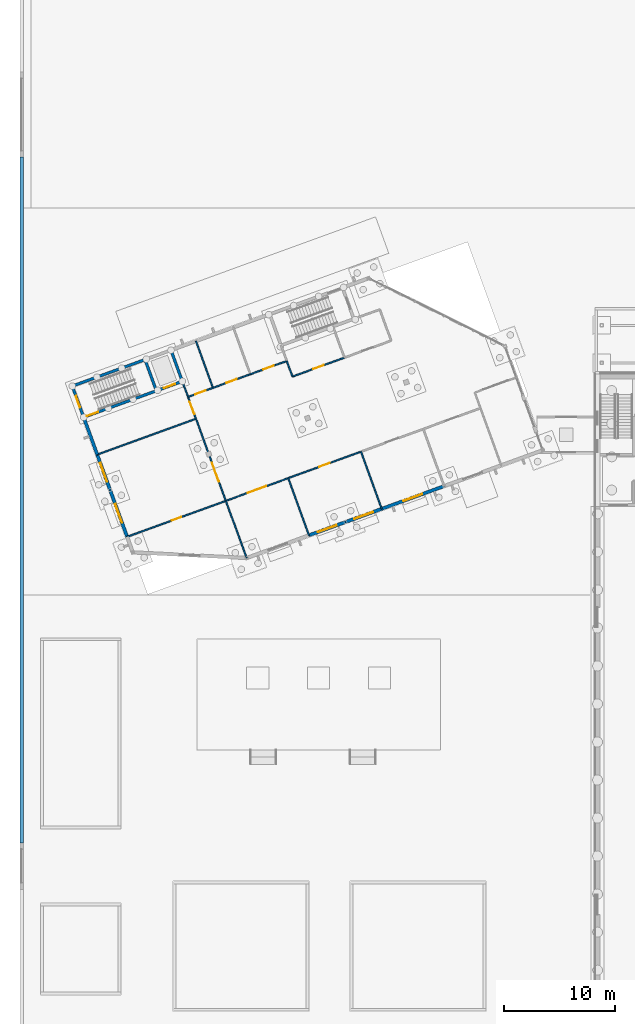
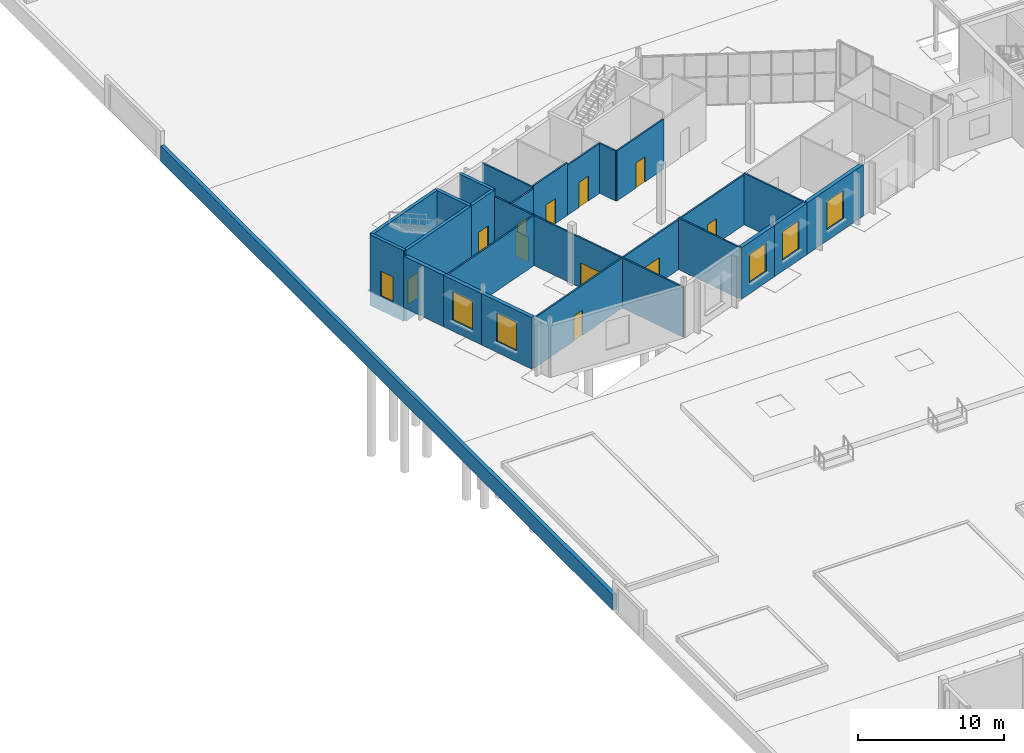
# One storey, part 92 of 157: 28 walls, 12 doors, 5 windows, 17 openings.
"""IFC4 building model written with IfcOpenShell, lengths in metres."""

from ifc_helpers import new_model, si_unit, direction, frame, frame_2d, origin, place, context, subcontext, project, spatial, rectangle, extrude, material, layer, layer_set, type_object, element, fill, save


model = new_model("IFC4")

# Units and contexts
model_context = context("Model", 3, precision=1e-05, world=origin(), true_north=direction((0.0, 1.0)))
body_context = subcontext(model_context, "Body", "Model", "MODEL_VIEW")
ifc_project = project(units=[si_unit("LENGTHUNIT", "METRE"), si_unit("AREAUNIT", "SQUARE_METRE"), si_unit("VOLUMEUNIT", "CUBIC_METRE"), si_unit("PLANEANGLEUNIT", "RADIAN"), si_unit("MASSUNIT", "GRAM", prefix="KILO")], contexts=[model_context])

# Site, building, storey
site_placement = place(None, origin())
site = spatial("IfcSite", under=ifc_project, at=site_placement, CompositionType="ELEMENT")
building_placement = place(site_placement, origin())
building = spatial("IfcBuilding", under=site, at=building_placement, Name="Windward Yard Aquatics Centre", CompositionType="ELEMENT")
storey_placement = place(building_placement, origin())
storey = spatial("IfcBuildingStorey", under=building, at=storey_placement, Name="L00", CompositionType="ELEMENT", Elevation=0.0)

# Wall, opening, door
ifc_material_1 = material(Name="Concrete C40/50", Category="concrete")
ifc_layer_1 = layer(ifc_material_1, 0.25)
ifc_layer_set_1 = layer_set([ifc_layer_1], Name="F core wall 250 Concrete C40/50")
wall_type_1 = type_object("IfcWallType", Name="F core wall 250 Concrete C40/50", PredefinedType="SOLIDWALL", material=ifc_layer_set_1)
wall_1_placement = place(storey_placement, frame((5.751708984375, 92.07958984375, -1.199951171875), z_axis=(0.0, 0.0, 1.0), x_axis=(0.939697665127, 0.342006283793, 0.0)))
wall_1 = element("IfcWall", 1, at=wall_1_placement, inside=storey, type_object=wall_type_1, Name="F.WL.L00.C01", PredefinedType="SOLIDWALL", context=body_context, shape_type="SweptSolid", body=[
    extrude(rectangle(XDim=7.0, YDim=0.25, at=frame_2d((3.5, 0.0))), origin(), (0.0, 0.0, 1.0), 5.919921875),
])
opening_1_placement = place(wall_1_placement, frame((0.300048828125, 0.0, 1.199951171875)))
opening_1 = element("IfcOpeningElement", 2, at=opening_1_placement, cuts=wall_1, Name="Opening F0005", PredefinedType="OPENING", context=body_context, shape_type="SweptSolid", body=[
    extrude(rectangle(XDim=1.10009765625, YDim=2.10009765625, at=frame_2d((0.550048828125, 1.050048828125))), frame((0.0, 0.135009765625, 0.0), z_axis=(0.0, -1.0, 0.0), x_axis=(1.0, 0.0, 0.0)), (0.0, 0.0, 1.0), 0.27001953125),
])
ifc_material_2 = material(Name="Steel, painted", Category="steel")
door_type_1 = type_object("IfcDoorType", Name="F fire door 1100x2100 steel", OperationType="SINGLE_SWING_LEFT", PredefinedType="DOOR", material=ifc_material_2)
door_1_placement = place(opening_1_placement, origin())
door_1 = element("IfcDoor", 3, at=door_1_placement, inside=storey, type_object=door_type_1, Name="Stair S1 door F0005", OperationType="SINGLE_SWING_RIGHT", OverallHeight=2.10009765625, OverallWidth=1.10009765625, PredefinedType="DOOR", context=body_context, shape_type="SweptSolid", body=[
    extrude(rectangle(XDim=1.10009765625, YDim=2.10009765625, at=frame_2d((0.550048828125, 1.050048828125))), frame((0.0, 0.02490234375, 0.0), z_axis=(0.0, -1.0, 0.0), x_axis=(1.0, 0.0, 0.0)), (0.0, 0.0, 1.0), 0.050048828125),
])
fill(opening_1, door_1)

# Wall
wall_2_placement = place(storey_placement, frame((12.32958984375, 94.4736328125, -1.199951171875), z_axis=(0.0, 0.0, 1.0), x_axis=(-0.342037080957, 0.939686455819, 0.0)))
element("IfcWall", 4, at=wall_2_placement, inside=storey, type_object=wall_type_1, Name="F.WL.L00.C02", PredefinedType="SOLIDWALL", context=body_context, shape_type="SweptSolid", body=[
    extrude(rectangle(XDim=3.0, YDim=0.25, at=frame_2d((1.5, 0.0))), origin(), (0.0, 0.0, 1.0), 5.919921875),
])

# Wall, opening, door
wall_3_placement = place(storey_placement, frame((12.32958984375, 94.4736328125, -1.199951171875), z_axis=(0.0, 0.0, 1.0), x_axis=(0.939696437289, 0.342009657388, 0.0)))
wall_3 = element("IfcWall", 5, at=wall_3_placement, inside=storey, type_object=wall_type_1, Name="F.WL.L00.C03", PredefinedType="SOLIDWALL", context=body_context, shape_type="SweptSolid", body=[
    extrude(rectangle(XDim=2.499755859375, YDim=0.25, at=frame_2d((1.25, 0.0))), origin(), (0.0, 0.0, 1.0), 5.919921875),
])
opening_2_placement = place(wall_3_placement, frame((0.699951171875, 0.0, 1.199951171875)))
opening_2 = element("IfcOpeningElement", 6, at=opening_2_placement, cuts=wall_3, Name="Opening LD", PredefinedType="OPENING", context=body_context, shape_type="SweptSolid", body=[
    extrude(rectangle(XDim=1.10009765625, YDim=2.10009765625, at=frame_2d((0.550048828125, 1.050048828125))), frame((0.0, 0.135009765625, 0.0), z_axis=(0.0, -1.0, 0.0), x_axis=(1.0, 0.0, 0.0)), (0.0, 0.0, 1.0), 0.27001953125),
])
ifc_material_3 = material(Name="Stainless steel", Category="steel")
door_type_2 = type_object("IfcDoorType", Name="F lift landing door 1100x2100 stainless steel", OperationType="SINGLE_SWING_LEFT", PredefinedType="DOOR", material=ifc_material_3)
door_2_placement = place(opening_2_placement, origin())
door_2 = element("IfcDoor", 7, at=door_2_placement, inside=storey, type_object=door_type_2, Name="Lift landing door LD", OperationType="DOUBLE_DOOR_SLIDING", OverallHeight=2.10009765625, OverallWidth=1.10009765625, PredefinedType="DOOR", context=body_context, shape_type="SweptSolid", body=[
    extrude(rectangle(XDim=1.10009765625, YDim=2.10009765625, at=frame_2d((0.550048828125, 1.050048828125))), frame((0.0, 0.02490234375, 0.0), z_axis=(0.0, -1.0, 0.0), x_axis=(1.0, 0.0, 0.0)), (0.0, 0.0, 1.0), 0.050048828125),
])
fill(opening_2, door_2)

# Walls
wall_4_placement = place(storey_placement, frame((14.6787109375, 95.32861328125, -1.199951171875), z_axis=(0.0, 0.0, 1.0), x_axis=(-0.342037080957, 0.939686455819, 0.0)))
element("IfcWall", 8, at=wall_4_placement, inside=storey, type_object=wall_type_1, Name="F.WL.L00.C04", PredefinedType="SOLIDWALL", context=body_context, shape_type="SweptSolid", body=[
    extrude(rectangle(XDim=3.0, YDim=0.25, at=frame_2d((1.5, 0.0))), origin(), (0.0, 0.0, 1.0), 5.919921875),
])
wall_5_placement = place(storey_placement, frame((11.303466796875, 97.292724609375, -1.199951171875), z_axis=(0.0, 0.0, 1.0), x_axis=(-0.939686455819, -0.342037080957, 0.0)))
element("IfcWall", 9, at=wall_5_placement, inside=storey, type_object=wall_type_1, Name="F.WL.L00.X03", PredefinedType="SOLIDWALL", context=body_context, shape_type="SweptSolid", body=[
    extrude(rectangle(XDim=7.0, YDim=0.25, at=frame_2d((3.5, 0.0))), origin(), (0.0, 0.0, 1.0), 5.919921875),
])

# Wall, opening, door
wall_6_placement = place(storey_placement, frame((4.7255859375, 94.8984375, -1.199951171875), z_axis=(0.0, 0.0, 1.0), x_axis=(0.342063238742, -0.939676934218, 0.0)))
wall_6 = element("IfcWall", 10, at=wall_6_placement, inside=storey, type_object=wall_type_1, Name="F.WL.L00.X04", PredefinedType="SOLIDWALL", context=body_context, shape_type="SweptSolid", body=[
    extrude(rectangle(XDim=2.999755859375, YDim=0.25, at=frame_2d((1.5, 0.0))), origin(), (0.0, 0.0, 1.0), 5.919921875),
])
opening_3_placement = place(wall_6_placement, frame((2.050048828125, 0.0, 1.199951171875), z_axis=(0.0, 0.0, 1.0), x_axis=(-1.0, 0.0, 0.0)))
opening_3 = element("IfcOpeningElement", 11, at=opening_3_placement, cuts=wall_6, Name="Opening F0001", PredefinedType="OPENING", context=body_context, shape_type="SweptSolid", body=[
    extrude(rectangle(XDim=1.10009765625, YDim=2.10009765625, at=frame_2d((0.550048828125, 1.050048828125))), frame((0.0, 0.135009765625, 0.0), z_axis=(0.0, -1.0, 0.0), x_axis=(1.0, 0.0, 0.0)), (0.0, 0.0, 1.0), 0.27001953125),
])
door_3_placement = place(opening_3_placement, origin())
door_3 = element("IfcDoor", 12, at=door_3_placement, inside=storey, type_object=door_type_1, Name="Stair S1 exit door F0001", OperationType="SINGLE_SWING_LEFT", OverallHeight=2.10009765625, OverallWidth=1.10009765625, PredefinedType="DOOR", context=body_context, shape_type="SweptSolid", body=[
    extrude(rectangle(XDim=1.10009765625, YDim=2.10009765625, at=frame_2d((0.550048828125, 1.050048828125))), frame((0.0, 0.02490234375, 0.0), z_axis=(0.0, -1.0, 0.0), x_axis=(1.0, 0.0, 0.0)), (0.0, 0.0, 1.0), 0.050048828125),
])
fill(opening_3, door_3)

ifc_material_4 = material(Name="Gypsum board on steel studs", Category="steel")
ifc_layer_2 = layer(ifc_material_4, 0.125)
ifc_layer_set_2 = layer_set([ifc_layer_2], Name="F partition 125 gypsum board")
wall_type_2 = type_object("IfcWallType", Name="F partition 125 gypsum board", PredefinedType="PARTITIONING", material=ifc_layer_set_2)
wall_7_placement = place(storey_placement, frame((9.684814453125, 81.27294921875, 0.0), z_axis=(0.0, 0.0, 1.0), x_axis=(0.939692088769, 0.342021605027, 0.0)))
wall_7 = element("IfcWall", 13, at=wall_7_placement, inside=storey, type_object=wall_type_2, Name="F.WL.L00.P003", PredefinedType="PARTITIONING", context=body_context, shape_type="SweptSolid", body=[
    extrude(rectangle(XDim=9.500244140625, YDim=0.125, at=frame_2d((4.75, 0.0))), origin(), (0.0, 0.0, 1.0), 4.18701171875),
])
opening_4_placement = place(wall_7_placement, frame((4.300048828125, 0.0, 0.0)))
opening_4 = element("IfcOpeningElement", 14, at=opening_4_placement, cuts=wall_7, Name="Opening F0008", PredefinedType="OPENING", context=body_context, shape_type="SweptSolid", body=[
    extrude(rectangle(XDim=0.89990234375, YDim=2.10009765625, at=frame_2d((0.449951171875, 1.050048828125))), frame((0.0, 0.072509765625, 0.0), z_axis=(0.0, -1.0, 0.0), x_axis=(1.0, 0.0, 0.0)), (0.0, 0.0, 1.0), 0.14501953125),
])
door_type_3 = type_object("IfcDoorType", Name="F fire door 900x2100 steel", OperationType="SINGLE_SWING_LEFT", PredefinedType="DOOR", material=ifc_material_2)
door_4_placement = place(opening_4_placement, origin())
door_4 = element("IfcDoor", 15, at=door_4_placement, inside=storey, type_object=door_type_3, Name="Commercial Kitchen door F0008", OperationType="SINGLE_SWING_LEFT", OverallHeight=2.10009765625, OverallWidth=0.89990234375, PredefinedType="DOOR", context=body_context, shape_type="SweptSolid", body=[
    extrude(rectangle(XDim=0.89990234375, YDim=2.10009765625, at=frame_2d((0.449951171875, 1.050048828125))), frame((0.0, 0.02490234375, 0.0), z_axis=(0.0, -1.0, 0.0), x_axis=(1.0, 0.0, 0.0)), (0.0, 0.0, 1.0), 0.050048828125),
])
fill(opening_4, door_4)

# Walls
wall_8_placement = place(storey_placement, frame((6.98291015625, 88.696533203125, 0.0), z_axis=(0.0, 0.0, 1.0), x_axis=(0.939692088769, 0.342021605027, 0.0)))
element("IfcWall", 16, at=wall_8_placement, inside=storey, type_object=wall_type_2, Name="F.WL.L00.P004", PredefinedType="PARTITIONING", context=body_context, shape_type="SweptSolid", body=[
    extrude(rectangle(XDim=9.500244140625, YDim=0.125, at=frame_2d((4.75, 0.0))), origin(), (0.0, 0.0, 1.0), 4.18701171875),
])
wall_9_placement = place(storey_placement, frame((20.4931640625, 79.35400390625, 0.0), z_axis=(0.0, 0.0, 1.0), x_axis=(-0.34202461616, 0.939690992795, 0.0)))
element("IfcWall", 17, at=wall_9_placement, inside=storey, type_object=wall_type_2, Name="F.WL.L00.P005", PredefinedType="PARTITIONING", context=body_context, shape_type="SweptSolid", body=[
    extrude(rectangle(XDim=5.5, YDim=0.125, at=frame_2d((2.75, 0.0))), origin(), (0.0, 0.0, 1.0), 4.18701171875),
])

# Wall, opening, door
wall_10_placement = place(storey_placement, frame((15.91015625, 91.94580078125, 0.0), z_axis=(0.0, 0.0, 1.0), x_axis=(-0.34206975284, 0.939674562916, 0.0)))
wall_10 = element("IfcWall", 18, at=wall_10_placement, inside=storey, type_object=wall_type_2, Name="F.WL.L00.P006", PredefinedType="PARTITIONING", context=body_context, shape_type="SweptSolid", body=[
    extrude(rectangle(XDim=3.60009765625, YDim=0.125, at=frame_2d((1.800048828125, 0.0))), origin(), (0.0, 0.0, 1.0), 4.18701171875),
])
opening_5_placement = place(wall_10_placement, frame((0.449951171875, 0.0, 0.0)))
opening_5 = element("IfcOpeningElement", 19, at=opening_5_placement, cuts=wall_10, Name="Opening F0006", PredefinedType="OPENING", context=body_context, shape_type="SweptSolid", body=[
    extrude(rectangle(XDim=1.199951171875, YDim=2.10009765625, at=frame_2d((0.60009765625, 1.050048828125))), frame((0.0, 0.072509765625, 0.0), z_axis=(0.0, -1.0, 0.0), x_axis=(1.0, 0.0, 0.0)), (0.0, 0.0, 1.0), 0.14501953125),
])
door_type_4 = type_object("IfcDoorType", Name="F fire door 1200x2100 steel", OperationType="SINGLE_SWING_LEFT", PredefinedType="DOOR", material=ifc_material_2)
door_5_placement = place(opening_5_placement, origin())
door_5 = element("IfcDoor", 20, at=door_5_placement, inside=storey, type_object=door_type_4, Name="Lift Lobby door F0006", OperationType="SINGLE_SWING_LEFT", OverallHeight=2.10009765625, OverallWidth=1.199951171875, PredefinedType="DOOR", context=body_context, shape_type="SweptSolid", body=[
    extrude(rectangle(XDim=1.199951171875, YDim=2.10009765625, at=frame_2d((0.60009765625, 1.050048828125))), frame((0.0, 0.02490234375, 0.0), z_axis=(0.0, -1.0, 0.0), x_axis=(1.0, 0.0, 0.0)), (0.0, 0.0, 1.0), 0.050048828125),
])
fill(opening_5, door_5)

wall_11_placement = place(storey_placement, frame((18.612060546875, 84.522216796875, 0.0), z_axis=(0.0, 0.0, 1.0), x_axis=(-0.342013514495, 0.939695033456, 0.0)))
wall_11 = element("IfcWall", 21, at=wall_11_placement, inside=storey, type_object=wall_type_2, Name="F.WL.L00.P007", PredefinedType="PARTITIONING", context=body_context, shape_type="SweptSolid", body=[
    extrude(rectangle(XDim=7.89990234375, YDim=0.125, at=frame_2d((3.949951171875, 0.0))), origin(), (0.0, 0.0, 1.0), 4.18701171875),
])
opening_6_placement = place(wall_11_placement, frame((1.864990234375, 0.0, 0.0)))
opening_6 = element("IfcOpeningElement", 22, at=opening_6_placement, cuts=wall_11, Name="Opening F0007", PredefinedType="OPENING", context=body_context, shape_type="SweptSolid", body=[
    extrude(rectangle(XDim=1.800048828125, YDim=2.10009765625, at=frame_2d((0.89990234375, 1.050048828125))), frame((0.0, 0.072509765625, 0.0), z_axis=(0.0, -1.0, 0.0), x_axis=(1.0, 0.0, 0.0)), (0.0, 0.0, 1.0), 0.14501953125),
])
ifc_material_5 = material(Name="Aluminium and toughened glass", Category="aluminium")
door_type_5 = type_object("IfcDoorType", Name="F glazed door 1800x2100 aluminium", OperationType="SINGLE_SWING_LEFT", PredefinedType="DOOR", material=ifc_material_5)
door_6_placement = place(opening_6_placement, origin())
door_6 = element("IfcDoor", 23, at=door_6_placement, inside=storey, type_object=door_type_5, Name="Cafe door F0007", OperationType="DOUBLE_DOOR_SINGLE_SWING", OverallHeight=2.10009765625, OverallWidth=1.800048828125, PredefinedType="DOOR", context=body_context, shape_type="SweptSolid", body=[
    extrude(rectangle(XDim=1.800048828125, YDim=2.10009765625, at=frame_2d((0.89990234375, 1.050048828125))), frame((0.0, 0.02490234375, 0.0), z_axis=(0.0, -1.0, 0.0), x_axis=(1.0, 0.0, 0.0)), (0.0, 0.0, 1.0), 0.050048828125),
])
fill(opening_6, door_6)

wall_12_placement = place(storey_placement, frame((18.612060546875, 84.522216796875, 0.0), z_axis=(0.0, 0.0, 1.0), x_axis=(0.939699533273, 0.342001150825, 0.0)))
wall_12 = element("IfcWall", 24, at=wall_12_placement, inside=storey, type_object=wall_type_2, Name="F.WL.L00.P008", PredefinedType="PARTITIONING", context=body_context, shape_type="SweptSolid", body=[
    extrude(rectangle(XDim=6.0, YDim=0.125, at=frame_2d((3.0, 0.0))), origin(), (0.0, 0.0, 1.0), 4.18701171875),
])
opening_7_placement = place(wall_12_placement, frame((2.10009765625, 0.0, 0.0)))
opening_7 = element("IfcOpeningElement", 25, at=opening_7_placement, cuts=wall_12, Name="Opening F0009", PredefinedType="OPENING", context=body_context, shape_type="SweptSolid", body=[
    extrude(rectangle(XDim=1.800048828125, YDim=2.10009765625, at=frame_2d((0.89990234375, 1.050048828125))), frame((0.0, 0.072509765625, 0.0), z_axis=(0.0, -1.0, 0.0), x_axis=(1.0, 0.0, 0.0)), (0.0, 0.0, 1.0), 0.14501953125),
])
door_7_placement = place(opening_7_placement, origin())
door_7 = element("IfcDoor", 26, at=door_7_placement, inside=storey, type_object=door_type_5, Name="Shop door F0009", OperationType="DOUBLE_DOOR_SINGLE_SWING", OverallHeight=2.10009765625, OverallWidth=1.800048828125, PredefinedType="DOOR", context=body_context, shape_type="SweptSolid", body=[
    extrude(rectangle(XDim=1.800048828125, YDim=2.10009765625, at=frame_2d((0.89990234375, 1.050048828125))), frame((0.0, 0.02490234375, 0.0), z_axis=(0.0, -1.0, 0.0), x_axis=(1.0, 0.0, 0.0)), (0.0, 0.0, 1.0), 0.050048828125),
])
fill(opening_7, door_7)

wall_13_placement = place(storey_placement, frame((15.19189453125, 93.919189453125, 0.0), z_axis=(0.0, 0.0, 1.0), x_axis=(0.939692393678, 0.342020767299, 0.0)))
wall_13 = element("IfcWall", 27, at=wall_13_placement, inside=storey, type_object=wall_type_2, Name="F.WL.L00.P009", PredefinedType="PARTITIONING", context=body_context, shape_type="SweptSolid", body=[
    extrude(rectangle(XDim=2.39990234375, YDim=0.125, at=frame_2d((1.199951171875, 0.0))), origin(), (0.0, 0.0, 1.0), 4.18701171875),
])
opening_8_placement = place(wall_13_placement, frame((0.699951171875, 0.0, 0.0)))
opening_8 = element("IfcOpeningElement", 28, at=opening_8_placement, cuts=wall_13, Name="Opening F0014", PredefinedType="OPENING", context=body_context, shape_type="SweptSolid", body=[
    extrude(rectangle(XDim=1.0, YDim=2.10009765625, at=frame_2d((0.5, 1.050048828125))), frame((0.0, 0.072509765625, 0.0), z_axis=(0.0, -1.0, 0.0), x_axis=(1.0, 0.0, 0.0)), (0.0, 0.0, 1.0), 0.14501953125),
])
ifc_material_6 = material(Name="Timber, painted", Category="wood")
door_type_6 = type_object("IfcDoorType", Name="F door 1000x2100 timber", OperationType="SINGLE_SWING_LEFT", PredefinedType="DOOR", material=ifc_material_6)
door_8_placement = place(opening_8_placement, origin())
door_8 = element("IfcDoor", 29, at=door_8_placement, inside=storey, type_object=door_type_6, Name="Accessible WC door F0014", OperationType="SINGLE_SWING_LEFT", OverallHeight=2.10009765625, OverallWidth=1.0, PredefinedType="DOOR", context=body_context, shape_type="SweptSolid", body=[
    extrude(rectangle(XDim=1.0, YDim=2.10009765625, at=frame_2d((0.5, 1.050048828125))), frame((0.0, 0.02490234375, 0.0), z_axis=(0.0, -1.0, 0.0), x_axis=(1.0, 0.0, 0.0)), (0.0, 0.0, 1.0), 0.050048828125),
])
fill(opening_8, door_8)

# Wall
wall_14_placement = place(storey_placement, frame((17.447021484375, 94.739990234375, 0.0), z_axis=(0.0, 0.0, 1.0), x_axis=(-0.3420218461, 0.939692001025, 0.0)))
element("IfcWall", 30, at=wall_14_placement, inside=storey, type_object=wall_type_2, Name="F.WL.L00.P010", PredefinedType="PARTITIONING", context=body_context, shape_type="SweptSolid", body=[
    extrude(rectangle(XDim=4.5, YDim=0.125, at=frame_2d((2.25, 0.0))), origin(), (0.0, 0.0, 1.0), 4.302978515625),
])

# Wall, opening, door
wall_15_placement = place(storey_placement, frame((17.447021484375, 94.739990234375, 0.0), z_axis=(0.0, 0.0, 1.0), x_axis=(0.939704292321, 0.341988074343, 0.0)))
wall_15 = element("IfcWall", 31, at=wall_15_placement, inside=storey, type_object=wall_type_2, Name="F.WL.L00.P011", PredefinedType="PARTITIONING", context=body_context, shape_type="SweptSolid", body=[
    extrude(rectangle(XDim=3.60009765625, YDim=0.125, at=frame_2d((1.800048828125, 0.0))), origin(), (0.0, 0.0, 1.0), 4.41796875),
])
opening_9_placement = place(wall_15_placement, frame((1.300048828125, 0.0, 0.0)))
opening_9 = element("IfcOpeningElement", 32, at=opening_9_placement, cuts=wall_15, Name="Opening F0015", PredefinedType="OPENING", context=body_context, shape_type="SweptSolid", body=[
    extrude(rectangle(XDim=1.0, YDim=2.10009765625, at=frame_2d((0.5, 1.050048828125))), frame((0.0, 0.072509765625, 0.0), z_axis=(0.0, -1.0, 0.0), x_axis=(1.0, 0.0, 0.0)), (0.0, 0.0, 1.0), 0.14501953125),
])
door_9_placement = place(opening_9_placement, origin())
door_9 = element("IfcDoor", 33, at=door_9_placement, inside=storey, type_object=door_type_6, Name="WC Women door F0015", OperationType="SINGLE_SWING_RIGHT", OverallHeight=2.10009765625, OverallWidth=1.0, PredefinedType="DOOR", context=body_context, shape_type="SweptSolid", body=[
    extrude(rectangle(XDim=1.0, YDim=2.10009765625, at=frame_2d((0.5, 1.050048828125))), frame((0.0, 0.02490234375, 0.0), z_axis=(0.0, -1.0, 0.0), x_axis=(1.0, 0.0, 0.0)), (0.0, 0.0, 1.0), 0.050048828125),
])
fill(opening_9, door_9)

# Wall
wall_16_placement = place(storey_placement, frame((26.13134765625, 81.406005859375, 0.0), z_axis=(0.0, 0.0, 1.0), x_axis=(-0.34202461616, 0.939690992795, 0.0)))
element("IfcWall", 34, at=wall_16_placement, inside=storey, type_object=wall_type_2, Name="F.WL.L00.P012", PredefinedType="PARTITIONING", context=body_context, shape_type="SweptSolid", body=[
    extrude(rectangle(XDim=5.5, YDim=0.125, at=frame_2d((2.75, 0.0))), origin(), (0.0, 0.0, 1.0), 4.302978515625),
])

# Wall, opening, door
wall_17_placement = place(storey_placement, frame((24.250244140625, 86.57421875, 0.0), z_axis=(0.0, 0.0, 1.0), x_axis=(0.939682375401, 0.342048290979, 0.0)))
wall_17 = element("IfcWall", 35, at=wall_17_placement, inside=storey, type_object=wall_type_2, Name="F.WL.L00.P013", PredefinedType="PARTITIONING", context=body_context, shape_type="SweptSolid", body=[
    extrude(rectangle(XDim=6.999755859375, YDim=0.125, at=frame_2d((3.5, 0.0))), origin(), (0.0, 0.0, 1.0), 4.18701171875),
])
opening_10_placement = place(wall_17_placement, frame((3.0, 0.0, 0.0)))
opening_10 = element("IfcOpeningElement", 36, at=opening_10_placement, cuts=wall_17, Name="Opening F0010", PredefinedType="OPENING", context=body_context, shape_type="SweptSolid", body=[
    extrude(rectangle(XDim=1.0, YDim=2.10009765625, at=frame_2d((0.5, 1.050048828125))), frame((0.0, 0.072509765625, 0.0), z_axis=(0.0, -1.0, 0.0), x_axis=(1.0, 0.0, 0.0)), (0.0, 0.0, 1.0), 0.14501953125),
])
door_10_placement = place(opening_10_placement, origin())
door_10 = element("IfcDoor", 37, at=door_10_placement, inside=storey, type_object=door_type_6, Name="Security Office door F0010", OperationType="SINGLE_SWING_LEFT", OverallHeight=2.10009765625, OverallWidth=1.0, PredefinedType="DOOR", context=body_context, shape_type="SweptSolid", body=[
    extrude(rectangle(XDim=1.0, YDim=2.10009765625, at=frame_2d((0.5, 1.050048828125))), frame((0.0, 0.02490234375, 0.0), z_axis=(0.0, -1.0, 0.0), x_axis=(1.0, 0.0, 0.0)), (0.0, 0.0, 1.0), 0.050048828125),
])
fill(opening_10, door_10)

wall_18_placement = place(storey_placement, frame((20.830078125, 95.97119140625, 0.0), z_axis=(0.0, 0.0, 1.0), x_axis=(0.939693585395, 0.342017493073, 0.0)))
wall_18 = element("IfcWall", 38, at=wall_18_placement, inside=storey, type_object=wall_type_2, Name="F.WL.L00.P015", PredefinedType="PARTITIONING", context=body_context, shape_type="SweptSolid", body=[
    extrude(rectangle(XDim=3.5, YDim=0.125, at=frame_2d((1.75, 0.0))), origin(), (0.0, 0.0, 1.0), 4.18701171875),
])
opening_11_placement = place(wall_18_placement, frame((1.25, 0.0, 0.0)))
opening_11 = element("IfcOpeningElement", 39, at=opening_11_placement, cuts=wall_18, Name="Opening F0016", PredefinedType="OPENING", context=body_context, shape_type="SweptSolid", body=[
    extrude(rectangle(XDim=1.0, YDim=2.10009765625, at=frame_2d((0.5, 1.050048828125))), frame((0.0, 0.072509765625, 0.0), z_axis=(0.0, -1.0, 0.0), x_axis=(1.0, 0.0, 0.0)), (0.0, 0.0, 1.0), 0.14501953125),
])
door_11_placement = place(opening_11_placement, origin())
door_11 = element("IfcDoor", 40, at=door_11_placement, inside=storey, type_object=door_type_6, Name="WC Men door F0016", OperationType="SINGLE_SWING_LEFT", OverallHeight=2.10009765625, OverallWidth=1.0, PredefinedType="DOOR", context=body_context, shape_type="SweptSolid", body=[
    extrude(rectangle(XDim=1.0, YDim=2.10009765625, at=frame_2d((0.5, 1.050048828125))), frame((0.0, 0.02490234375, 0.0), z_axis=(0.0, -1.0, 0.0), x_axis=(1.0, 0.0, 0.0)), (0.0, 0.0, 1.0), 0.050048828125),
])
fill(opening_11, door_11)

# Wall
wall_19_placement = place(storey_placement, frame((24.6318359375, 95.7587890625, 0.0), z_axis=(0.0, 0.0, 1.0), x_axis=(-0.341991372939, 0.939703091851, 0.0)))
element("IfcWall", 41, at=wall_19_placement, inside=storey, type_object=wall_type_2, Name="F.WL.L00.P016", PredefinedType="PARTITIONING", context=body_context, shape_type="SweptSolid", body=[
    extrude(rectangle(XDim=1.499755859375, YDim=0.125, at=frame_2d((0.75, 0.0))), origin(), (0.0, 0.0, 1.0), 4.18701171875),
])

# Wall, opening, door
wall_20_placement = place(storey_placement, frame((24.6318359375, 95.7587890625, 0.0), z_axis=(0.0, 0.0, 1.0), x_axis=(0.939686455819, 0.342037080957, 0.0)))
wall_20 = element("IfcWall", 42, at=wall_20_placement, inside=storey, type_object=wall_type_2, Name="F.WL.L00.P017", PredefinedType="PARTITIONING", context=body_context, shape_type="SweptSolid", body=[
    extrude(rectangle(XDim=5.0, YDim=0.125, at=frame_2d((2.5, 0.0))), origin(), (0.0, 0.0, 1.0), 4.18701171875),
])
opening_12_placement = place(wall_20_placement, frame((2.0, 0.0, 0.0)))
opening_12 = element("IfcOpeningElement", 43, at=opening_12_placement, cuts=wall_20, Name="Opening F0018", PredefinedType="OPENING", context=body_context, shape_type="SweptSolid", body=[
    extrude(rectangle(XDim=1.0, YDim=2.10009765625, at=frame_2d((0.5, 1.050048828125))), frame((0.0, 0.072509765625, 0.0), z_axis=(0.0, -1.0, 0.0), x_axis=(1.0, 0.0, 0.0)), (0.0, 0.0, 1.0), 0.14501953125),
])
door_12_placement = place(opening_12_placement, origin())
door_12 = element("IfcDoor", 44, at=door_12_placement, inside=storey, type_object=door_type_6, Name="Ticket Office door F0018", OperationType="SINGLE_SWING_LEFT", OverallHeight=2.10009765625, OverallWidth=1.0, PredefinedType="DOOR", context=body_context, shape_type="SweptSolid", body=[
    extrude(rectangle(XDim=1.0, YDim=2.10009765625, at=frame_2d((0.5, 1.050048828125))), frame((0.0, 0.02490234375, 0.0), z_axis=(0.0, -1.0, 0.0), x_axis=(1.0, 0.0, 0.0)), (0.0, 0.0, 1.0), 0.050048828125),
])
fill(opening_12, door_12)

# Wall
wall_21_placement = place(storey_placement, frame((32.708984375, 83.800048828125, 0.0), z_axis=(0.0, 0.0, 1.0), x_axis=(-0.342010349897, 0.939696185245, 0.0)))
element("IfcWall", 45, at=wall_21_placement, inside=storey, type_object=wall_type_2, Name="F.WL.L00.P019", PredefinedType="PARTITIONING", context=body_context, shape_type="SweptSolid", body=[
    extrude(rectangle(XDim=5.500244140625, YDim=0.125, at=frame_2d((2.75, 0.0))), origin(), (0.0, 0.0, 1.0), 4.302978515625),
])

# Wall, opening, window
ifc_material_7 = material(Name="Natural stone cladding", Category="masonry")
ifc_layer_3 = layer(ifc_material_7, 0.04, Name="Cladding")
ifc_material_8 = material(Name="Ventilated air cavity")
ifc_layer_4 = layer(ifc_material_8, 0.04, ventilated=True, Name="Ventilated cavity")
ifc_material_9 = material(Name="Mineral wool insulation")
ifc_layer_5 = layer(ifc_material_9, 0.06, Name="Insulation")
ifc_layer_6 = layer(ifc_material_1, 0.16, Name="Structure")
ifc_layer_set_3 = layer_set([ifc_layer_3, ifc_layer_4, ifc_layer_5, ifc_layer_6], Name="F stone-faced infill wall 300 Concrete C40/50")
wall_type_3 = type_object("IfcWallType", Name="F stone-faced infill wall 300 Concrete C40/50", PredefinedType="ELEMENTEDWALL", material=ifc_layer_set_3)
wall_22_placement = place(storey_placement, frame((26.13134765625, 81.406005859375, 0.0), z_axis=(0.0, 0.0, 1.0), x_axis=(0.939693585395, 0.342017493073, 0.0)))
wall_22 = element("IfcWall", 46, at=wall_22_placement, inside=storey, type_object=wall_type_3, Name="F.WL.L00.E03", PredefinedType="ELEMENTEDWALL", context=body_context, shape_type="SweptSolid", body=[
    extrude(rectangle(XDim=3.5, YDim=0.300048828125, at=frame_2d((1.75, 0.0))), origin(), (0.0, 0.0, 1.0), 4.302978515625),
])
opening_13_placement = place(wall_22_placement, frame((0.85009765625, 0.0, 0.89990234375)))
opening_13 = element("IfcOpeningElement", 47, at=opening_13_placement, cuts=wall_22, Name="Opening F0103", PredefinedType="OPENING", context=body_context, shape_type="SweptSolid", body=[
    extrude(rectangle(XDim=1.800048828125, YDim=2.39990234375, at=frame_2d((0.89990234375, 1.199951171875))), frame((0.0, 0.16015625, 0.0), z_axis=(0.0, -1.0, 0.0), x_axis=(1.0, 0.0, 0.0)), (0.0, 0.0, 1.0), 0.320068359375),
])
ifc_material_10 = material(Name="Aluminium frame with double glazing", Category="aluminium")
window_type = type_object("IfcWindowType", Name="F window 1800x2400 double glazed", PartitioningType="SINGLE_PANEL", PredefinedType="WINDOW", material=ifc_material_10)
window_1_placement = place(opening_13_placement, origin())
window_1 = element("IfcWindow", 48, at=window_1_placement, inside=storey, type_object=window_type, Name="Window F0103", OverallHeight=2.39990234375, OverallWidth=1.800048828125, PartitioningType="SINGLE_PANEL", PredefinedType="WINDOW", context=body_context, shape_type="SweptSolid", body=[
    extrude(rectangle(XDim=1.800048828125, YDim=2.39990234375, at=frame_2d((0.89990234375, 1.199951171875))), frame((0.0, 0.030029296875, 0.0), z_axis=(0.0, -1.0, 0.0), x_axis=(1.0, 0.0, 0.0)), (0.0, 0.0, 1.0), 0.06005859375),
])
fill(opening_13, window_1)

wall_23_placement = place(storey_placement, frame((29.420166015625, 82.60302734375, 0.0), z_axis=(0.0, 0.0, 1.0), x_axis=(0.939693585395, 0.342017493073, 0.0)))
wall_23 = element("IfcWall", 49, at=wall_23_placement, inside=storey, type_object=wall_type_3, Name="F.WL.L00.E04", PredefinedType="ELEMENTEDWALL", context=body_context, shape_type="SweptSolid", body=[
    extrude(rectangle(XDim=3.5, YDim=0.300048828125, at=frame_2d((1.75, 0.0))), origin(), (0.0, 0.0, 1.0), 4.302978515625),
])
opening_14_placement = place(wall_23_placement, frame((0.85009765625, 0.0, 0.89990234375)))
opening_14 = element("IfcOpeningElement", 50, at=opening_14_placement, cuts=wall_23, Name="Opening F0104", PredefinedType="OPENING", context=body_context, shape_type="SweptSolid", body=[
    extrude(rectangle(XDim=1.800048828125, YDim=2.39990234375, at=frame_2d((0.89990234375, 1.199951171875))), frame((0.0, 0.16015625, 0.0), z_axis=(0.0, -1.0, 0.0), x_axis=(1.0, 0.0, 0.0)), (0.0, 0.0, 1.0), 0.320068359375),
])
window_2_placement = place(opening_14_placement, origin())
window_2 = element("IfcWindow", 51, at=window_2_placement, inside=storey, type_object=window_type, Name="Window F0104", OverallHeight=2.39990234375, OverallWidth=1.800048828125, PartitioningType="SINGLE_PANEL", PredefinedType="WINDOW", context=body_context, shape_type="SweptSolid", body=[
    extrude(rectangle(XDim=1.800048828125, YDim=2.39990234375, at=frame_2d((0.89990234375, 1.199951171875))), frame((0.0, 0.030029296875, 0.0), z_axis=(0.0, -1.0, 0.0), x_axis=(1.0, 0.0, 0.0)), (0.0, 0.0, 1.0), 0.06005859375),
])
fill(opening_14, window_2)

wall_24_placement = place(storey_placement, frame((32.708984375, 83.800048828125, 0.0), z_axis=(0.0, 0.0, 1.0), x_axis=(0.939691215801, 0.342024003465, 0.0)))
wall_24 = element("IfcWall", 52, at=wall_24_placement, inside=storey, type_object=wall_type_3, Name="F.WL.L00.E05", PredefinedType="ELEMENTEDWALL", context=body_context, shape_type="SweptSolid", body=[
    extrude(rectangle(XDim=6.000244140625, YDim=0.300048828125, at=frame_2d((3.0, 0.0))), origin(), (0.0, 0.0, 1.0), 4.302978515625),
])
opening_15_placement = place(wall_24_placement, frame((2.10009765625, 0.0, 0.89990234375)))
opening_15 = element("IfcOpeningElement", 53, at=opening_15_placement, cuts=wall_24, Name="Opening F0105", PredefinedType="OPENING", context=body_context, shape_type="SweptSolid", body=[
    extrude(rectangle(XDim=1.800048828125, YDim=2.39990234375, at=frame_2d((0.89990234375, 1.199951171875))), frame((0.0, 0.16015625, 0.0), z_axis=(0.0, -1.0, 0.0), x_axis=(1.0, 0.0, 0.0)), (0.0, 0.0, 1.0), 0.320068359375),
])
window_3_placement = place(opening_15_placement, origin())
window_3 = element("IfcWindow", 54, at=window_3_placement, inside=storey, type_object=window_type, Name="Window F0105", OverallHeight=2.39990234375, OverallWidth=1.800048828125, PartitioningType="SINGLE_PANEL", PredefinedType="WINDOW", context=body_context, shape_type="SweptSolid", body=[
    extrude(rectangle(XDim=1.800048828125, YDim=2.39990234375, at=frame_2d((0.89990234375, 1.199951171875))), frame((0.0, 0.030029296875, 0.0), z_axis=(0.0, -1.0, 0.0), x_axis=(1.0, 0.0, 0.0)), (0.0, 0.0, 1.0), 0.06005859375),
])
fill(opening_15, window_3)

# Wall
wall_25_placement = place(storey_placement, frame((5.751708984375, 92.07958984375, 0.0), z_axis=(0.0, 0.0, 1.0), x_axis=(0.341988074343, -0.939704292321, 0.0)))
element("IfcWall", 55, at=wall_25_placement, inside=storey, type_object=wall_type_3, Name="F.WL.L00.E12", PredefinedType="ELEMENTEDWALL", context=body_context, shape_type="SweptSolid", body=[
    extrude(rectangle(XDim=3.60009765625, YDim=0.300048828125, at=frame_2d((1.800048828125, 0.0))), origin(), (0.0, 0.0, 1.0), 4.302978515625),
])

# Wall, opening, window
wall_26_placement = place(storey_placement, frame((6.98291015625, 88.696533203125, 0.0), z_axis=(0.0, 0.0, 1.0), x_axis=(0.342025565686, -0.93969064719, 0.0)))
wall_26 = element("IfcWall", 56, at=wall_26_placement, inside=storey, type_object=wall_type_3, Name="F.WL.L00.E13", PredefinedType="ELEMENTEDWALL", context=body_context, shape_type="SweptSolid", body=[
    extrude(rectangle(XDim=3.39990234375, YDim=0.300048828125, at=frame_2d((1.699951171875, 0.0))), origin(), (0.0, 0.0, 1.0), 4.302978515625),
])
opening_16_placement = place(wall_26_placement, frame((0.800048828125, 0.0, 0.89990234375)))
opening_16 = element("IfcOpeningElement", 57, at=opening_16_placement, cuts=wall_26, Name="Opening F0106", PredefinedType="OPENING", context=body_context, shape_type="SweptSolid", body=[
    extrude(rectangle(XDim=1.800048828125, YDim=2.39990234375, at=frame_2d((0.89990234375, 1.199951171875))), frame((0.0, 0.16015625, 0.0), z_axis=(0.0, -1.0, 0.0), x_axis=(1.0, 0.0, 0.0)), (0.0, 0.0, 1.0), 0.320068359375),
])
window_4_placement = place(opening_16_placement, origin())
window_4 = element("IfcWindow", 58, at=window_4_placement, inside=storey, type_object=window_type, Name="Window F0106", OverallHeight=2.39990234375, OverallWidth=1.800048828125, PartitioningType="SINGLE_PANEL", PredefinedType="WINDOW", context=body_context, shape_type="SweptSolid", body=[
    extrude(rectangle(XDim=1.800048828125, YDim=2.39990234375, at=frame_2d((0.89990234375, 1.199951171875))), frame((0.0, 0.030029296875, 0.0), z_axis=(0.0, -1.0, 0.0), x_axis=(1.0, 0.0, 0.0)), (0.0, 0.0, 1.0), 0.06005859375),
])
fill(opening_16, window_4)

wall_27_placement = place(storey_placement, frame((8.145751953125, 85.501708984375, 0.0), z_axis=(0.0, 0.0, 1.0), x_axis=(0.34200440972, -0.939698347201, 0.0)))
wall_27 = element("IfcWall", 59, at=wall_27_placement, inside=storey, type_object=wall_type_3, Name="F.WL.L00.E14", PredefinedType="ELEMENTEDWALL", context=body_context, shape_type="SweptSolid", body=[
    extrude(rectangle(XDim=4.500244140625, YDim=0.300048828125, at=frame_2d((2.25, 0.0))), origin(), (0.0, 0.0, 1.0), 4.302978515625),
])
opening_17_placement = place(wall_27_placement, frame((1.35009765625, 0.0, 0.89990234375)))
opening_17 = element("IfcOpeningElement", 60, at=opening_17_placement, cuts=wall_27, Name="Opening F0107", PredefinedType="OPENING", context=body_context, shape_type="SweptSolid", body=[
    extrude(rectangle(XDim=1.800048828125, YDim=2.39990234375, at=frame_2d((0.89990234375, 1.199951171875))), frame((0.0, 0.16015625, 0.0), z_axis=(0.0, -1.0, 0.0), x_axis=(1.0, 0.0, 0.0)), (0.0, 0.0, 1.0), 0.320068359375),
])
window_5_placement = place(opening_17_placement, origin())
window_5 = element("IfcWindow", 61, at=window_5_placement, inside=storey, type_object=window_type, Name="Window F0107", OverallHeight=2.39990234375, OverallWidth=1.800048828125, PartitioningType="SINGLE_PANEL", PredefinedType="WINDOW", context=body_context, shape_type="SweptSolid", body=[
    extrude(rectangle(XDim=1.800048828125, YDim=2.39990234375, at=frame_2d((0.89990234375, 1.199951171875))), frame((0.0, 0.030029296875, 0.0), z_axis=(0.0, -1.0, 0.0), x_axis=(1.0, 0.0, 0.0)), (0.0, 0.0, 1.0), 0.06005859375),
])
fill(opening_17, window_5)

# Wall
ifc_material_11 = material(Name="Concrete C30/37", Category="concrete")
ifc_layer_7 = layer(ifc_material_11, 0.300048828125)
ifc_layer_set_4 = layer_set([ifc_layer_7], Name="X Boundary Wall Concrete C30/37 300 x 1200")
wall_type_4 = type_object("IfcWallType", Name="X Boundary Wall Concrete C30/37 300 x 1200", PredefinedType="SOLIDWALL", material=ifc_layer_set_4)
wall_28_placement = place(storey_placement, frame((0.14990234375, 53.60009765625, -0.10009765625), z_axis=(0.0, 0.0, 1.0), x_axis=(0.0, 1.0, 0.0)))
element("IfcWall", 62, at=wall_28_placement, inside=storey, type_object=wall_type_4, Name="West road boundary wall", PredefinedType="SOLIDWALL", context=body_context, shape_type="SweptSolid", body=[
    extrude(rectangle(XDim=62.0, YDim=0.300048828125, at=frame_2d((31.0, 0.0))), origin(), (0.0, 0.0, 1.0), 1.300048828125),
])

save(model, "model.ifc")
